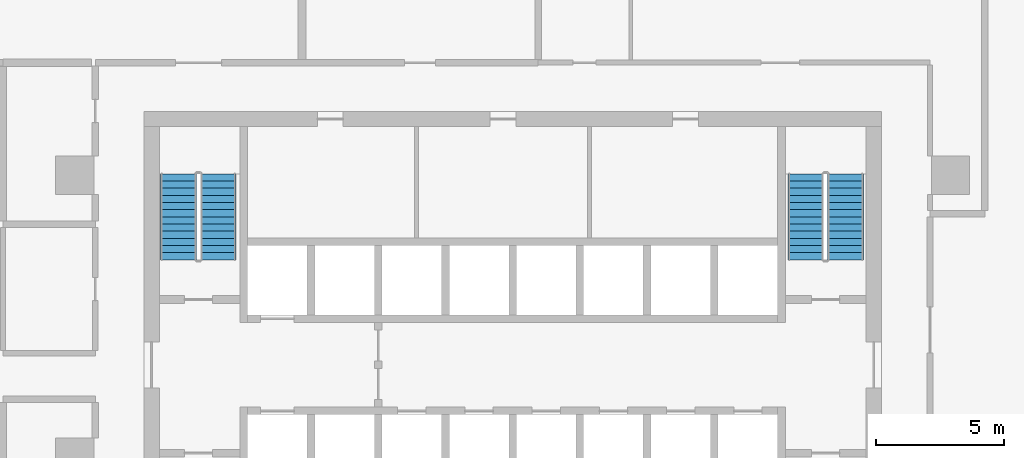
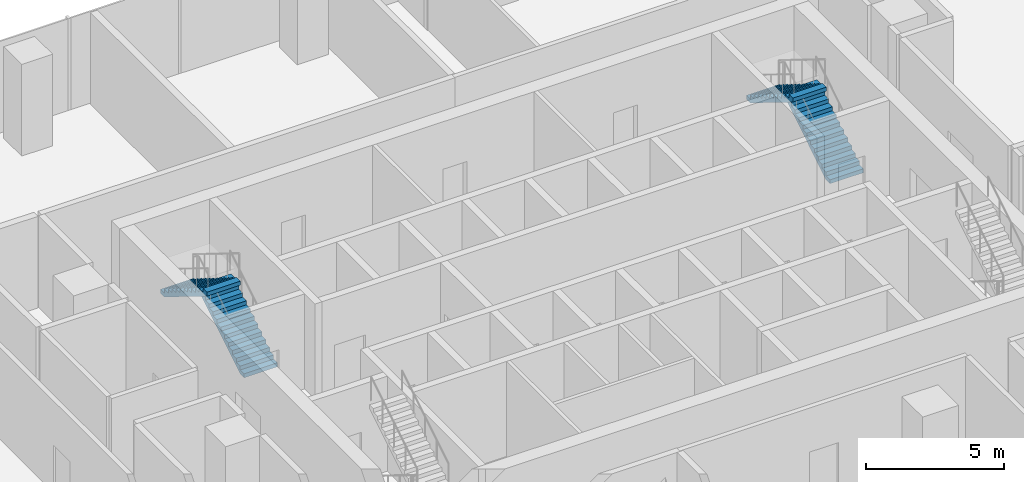
# One storey, part 11 of 15: 4 stair flights, 2 elements without a shape of their own.
"""IFC4 building model written with IfcOpenShell, lengths in metres."""

import ifcopenshell
import ifcopenshell.guid

model = None  # the IFC model being written
_history = None  # IfcOwnerHistory: only IFC2X3 demands one
_inside = {}  # id of a spatial element -> (the spatial element, [elements in it])
_under = {}  # id of a project, library or spatial element -> (it, [spatial elements below it])
_declared = {}  # id of a project -> (the project, [libraries it declares])
_typed = {}  # id of a type object -> (the type object, [elements of that type])
_made_of = {}  # id of a material, layer set ... -> (it, [elements and type objects made of it])


def new_model(schema):
    """Start an empty IFC model of exactly this schema.

    Asked for "IFC4X3", IfcOpenShell would pick the latest addendum, in which some entities
    have other attributes; the version numbers below select the first issue.
    IFC2X3 requires an IfcOwnerHistory on every rooted entity: one is made here for all.
    """
    global model, _history
    if schema == "IFC4X3":
        model = ifcopenshell.file(schema_version=(4, 3, 0, 0))
    else:
        model = ifcopenshell.file(schema=schema)
    _inside.clear()
    _under.clear()
    _declared.clear()
    _typed.clear()
    _made_of.clear()
    _history = None
    if model.schema == "IFC2X3":
        org = make("IfcOrganization", Name="unknown")
        user = make(
            "IfcPersonAndOrganization",
            ThePerson=make("IfcPerson", FamilyName="unknown"),
            TheOrganization=org,
        )
        app = make(
            "IfcApplication",
            ApplicationDeveloper=org,
            Version="unknown",
            ApplicationFullName="unknown",
            ApplicationIdentifier="unknown",
        )
        _history = make(
            "IfcOwnerHistory",
            OwningUser=user,
            OwningApplication=app,
            ChangeAction="ADDED",
            CreationDate=0,
        )
    return model


def make(cls, **values):
    """One entity of the class cls with the attributes given. An attribute that is None is left unset."""
    return model.create_entity(
        cls, **{name: value for name, value in values.items() if value is not None}
    )


def rooted(cls, **values):
    """An entity with a GlobalId (a new one), such as an element, a storey or a relation."""
    return make(cls, GlobalId=ifcopenshell.guid.new(), OwnerHistory=_history, **values)


def si_unit(unit_type, name, prefix=None):
    """IfcSIUnit, for example si_unit("LENGTHUNIT", "METRE", prefix="MILLI")."""
    return make("IfcSIUnit", UnitType=unit_type, Prefix=prefix, Name=name)


def assignment(units):
    """IfcUnitAssignment: the units of a project."""
    return None if units is None else make("IfcUnitAssignment", Units=units)


def point(xyz):
    """IfcCartesianPoint."""
    return None if xyz is None else make("IfcCartesianPoint", Coordinates=xyz)


def direction(xyz):
    """IfcDirection."""
    return None if xyz is None else make("IfcDirection", DirectionRatios=xyz)


def frame(location, z_axis=None, x_axis=None):
    """IfcAxis2Placement3D, a coordinate frame: its origin and axes. An axis left out is left unset."""
    return make(
        "IfcAxis2Placement3D",
        Location=point(location),
        Axis=direction(z_axis),
        RefDirection=direction(x_axis),
    )


def origin():
    """The frame at (0, 0, 0) with its axes left unset."""
    return frame((0.0, 0.0, 0.0))


def place(relative_to, where):
    """IfcLocalPlacement: puts the frame where relative to a parent placement (None: the world)."""
    return make(
        "IfcLocalPlacement", PlacementRelTo=relative_to, RelativePlacement=where
    )


def context(
    kind, dimensions, precision=None, world=None, true_north=None, identifier=None
):
    """IfcGeometricRepresentationContext, for example the 3D "Model" context."""
    return make(
        "IfcGeometricRepresentationContext",
        ContextIdentifier=identifier,
        ContextType=kind,
        CoordinateSpaceDimension=dimensions,
        Precision=precision,
        WorldCoordinateSystem=world,
        TrueNorth=true_north,
    )


def subcontext(parent, identifier, kind, view, scale=None):
    """IfcGeometricRepresentationSubContext, for example "Body" below "Model"."""
    return make(
        "IfcGeometricRepresentationSubContext",
        ContextIdentifier=identifier,
        ContextType=kind,
        ParentContext=parent,
        TargetScale=scale,
        TargetView=view,
    )


def project(units=None, contexts=None):
    """IfcProject with its units and contexts."""
    return rooted(
        "IfcProject",
        Name="project",
        RepresentationContexts=contexts,
        UnitsInContext=assignment(units),
    )


def spatial(cls, under=None, at=None, **own):
    """A site, building, storey or space (cls), placed at a placement, below another one or the project."""
    s = rooted(cls, ObjectPlacement=at, **own)
    if under is not None:
        _under.setdefault(under.id(), (under, []))[1].append(s)
    return s


def polyline(points):
    """IfcPolyline through the points."""
    return make("IfcPolyline", Points=[point(p) for p in points])


def outline(outer, holes=None, kind="AREA"):
    """IfcArbitraryClosedProfileDef: a profile drawn as a closed curve; with holes, ...WithVoids."""
    if holes is None:
        return make("IfcArbitraryClosedProfileDef", ProfileType=kind, OuterCurve=outer)
    return make(
        "IfcArbitraryProfileDefWithVoids",
        ProfileType=kind,
        OuterCurve=outer,
        InnerCurves=holes,
    )


def extrude(swept, where, along, depth):
    """IfcExtrudedAreaSolid: the profile swept, set in the frame where, extruded along a direction by depth."""
    return make(
        "IfcExtrudedAreaSolid",
        SweptArea=swept,
        Position=where,
        ExtrudedDirection=direction(along),
        Depth=depth,
    )


def shape(context_of_items, identifier, shape_type, items):
    """IfcShapeRepresentation: the items that make up one representation, for example the "Body"."""
    return make(
        "IfcShapeRepresentation",
        ContextOfItems=context_of_items,
        RepresentationIdentifier=identifier,
        RepresentationType=shape_type,
        Items=items,
    )


def material(Name=None, Category=None):
    """IfcMaterial."""
    return make("IfcMaterial", Name=Name, Category=Category)


def made_of(thing, what):
    """Note that an element or type object is made of a material, layer set ...; save() writes the relation."""
    if what is not None:
        _made_of.setdefault(what.id(), (what, []))[1].append(thing)
    return thing


def type_object(cls, material=None, **own):
    """A type object (cls), such as IfcWallType, which elements share."""
    return made_of(rooted(cls, **own), material)


def element(
    cls,
    number,
    at=None,
    inside=None,
    cuts=None,
    type_object=None,
    material=None,
    context=None,
    identifier="Body",
    shape_type=None,
    held_by="IfcProductDefinitionShape",
    body=None,
    shapes=None,
    **own,
):
    """One element of the class cls, such as IfcWall. Its Tag is "e" and its number.

    at: its placement. inside: the storey or other place that contains it. cuts: it is an
    opening in that element (IfcRelVoidsElement). A single representation is given by context,
    identifier, shape_type and body (its items); several are given by shapes. held_by: the class
    of the entity that holds the representations. save() writes the other relations.
    """
    e = rooted(cls, Tag="e%d" % number, ObjectPlacement=at, **own)
    if body is not None:
        shapes = [shape(context, identifier, shape_type, body)]
    if shapes is not None:
        e.Representation = make(held_by, Representations=shapes)
    if inside is not None:
        _inside.setdefault(inside.id(), (inside, []))[1].append(e)
    if cuts is not None:
        rooted(
            "IfcRelVoidsElement", RelatingBuildingElement=cuts, RelatedOpeningElement=e
        )
    if type_object is not None:
        _typed.setdefault(type_object.id(), (type_object, []))[1].append(e)
    return made_of(e, material)


def aggregate(whole, parts):
    """IfcRelAggregates: a whole, such as a stair, and the parts it consists of."""
    return rooted("IfcRelAggregates", RelatingObject=whole, RelatedObjects=parts)


def save(model, path):
    """Write the relations noted so far, then the file.

    IfcRelAggregates (storeys below a building ...), IfcRelContainedInSpatialStructure (elements
    in a storey), IfcRelDefinesByType, IfcRelAssociatesMaterial and IfcRelDeclares: one each for
    every whole, place, type object, material and project.
    """
    for whole, parts in _under.values():
        aggregate(whole, parts)
    for where, things in _inside.values():
        rooted(
            "IfcRelContainedInSpatialStructure",
            RelatedElements=things,
            RelatingStructure=where,
        )
    for kind, things in _typed.values():
        rooted("IfcRelDefinesByType", RelatedObjects=things, RelatingType=kind)
    for what, things in _made_of.values():
        rooted("IfcRelAssociatesMaterial", RelatedObjects=things, RelatingMaterial=what)
    for by, libraries in _declared.values():
        rooted("IfcRelDeclares", RelatingContext=by, RelatedDefinitions=libraries)
    model.write(path)


model = new_model("IFC4")

# Units and contexts
model_context = context("Model", 3, precision=1e-05, world=origin(), true_north=direction((0.0, 1.0)))
body_context = subcontext(model_context, "Body", "Model", "MODEL_VIEW")
ifc_project = project(units=[si_unit("LENGTHUNIT", "METRE"), si_unit("AREAUNIT", "SQUARE_METRE"), si_unit("VOLUMEUNIT", "CUBIC_METRE"), si_unit("PLANEANGLEUNIT", "RADIAN"), si_unit("MASSUNIT", "GRAM", prefix="KILO")], contexts=[model_context])

# Site, building, storey
site_placement = place(None, origin())
site = spatial("IfcSite", under=ifc_project, at=site_placement, CompositionType="ELEMENT")
building_placement = place(site_placement, origin())
building = spatial("IfcBuilding", under=site, at=building_placement, Name="Mopane Tessera Tower", CompositionType="ELEMENT")
storey_placement = place(building_placement, frame((0.0, 0.0, 103.60009765625)))
storey = spatial("IfcBuildingStorey", under=building, at=storey_placement, Name="L20", CompositionType="ELEMENT", Elevation=103.60009765625)

# Stair, stair flights
ifc_material_1 = material(Name="Concrete C50/60", Category="concrete")
stair_type = type_object("IfcStairType", Name="Escape stair 1400 mm, riser 173 mm", PredefinedType="HALF_TURN_STAIR", material=ifc_material_1)
stair_1_placement = place(storey_placement, origin())
stair_1 = element("IfcStair", 1, at=stair_1_placement, inside=storey, type_object=stair_type, Name="L20 Escape stair north-west", PredefinedType="HALF_TURN_STAIR")
ifc_material_2 = material(Name="Concrete C50/60", Category="concrete")
stair_flight_type = type_object("IfcStairFlightType", Name="Escape stair flight 1400 mm", PredefinedType="STRAIGHT", material=ifc_material_2)
stair_flight_1_placement = place(storey_placement, frame((-11.5, 7.699951171875, 0.0), z_axis=(0.0, 0.0, 1.0), x_axis=(0.0, 1.0, 0.0)))
stair_flight_1 = element("IfcStairFlight", 2, at=stair_flight_1_placement, type_object=stair_flight_type, Name="ST2 flight 1", NumberOfRisers=13, NumberOfTreads=12, PredefinedType="STRAIGHT", RiserHeight=0.173076923, TreadLength=0.28, context=body_context, shape_type="SweptSolid", body=[
    extrude(outline(polyline([(0.0, 0.0), (0.0, 0.173095703125), (0.280029296875, 0.173095703125), (0.280029296875, 0.34619140625), (0.56005859375, 0.34619140625), (0.56005859375, 0.519287109375), (0.840087890625, 0.519287109375), (0.840087890625, 0.6923828125), (1.1201171875, 0.6923828125), (1.1201171875, 0.865478515625), (1.39990234375, 0.865478515625), (1.39990234375, 1.03857421875), (1.679931640625, 1.03857421875), (1.679931640625, 1.21142578125), (1.9599609375, 1.21142578125), (1.9599609375, 1.384521484375), (2.239990234375, 1.384521484375), (2.239990234375, 1.5576171875), (2.52001953125, 1.5576171875), (2.52001953125, 1.730712890625), (2.800048828125, 1.730712890625), (2.800048828125, 1.90380859375), (3.080078125, 1.90380859375), (3.080078125, 2.076904296875), (3.360107421875, 2.076904296875), (3.360107421875, 2.25), (3.360107421875, 1.900634765625), (0.28515625, 0.0), (0.0, 0.0)])), frame((0.0, 0.699951171875, 0.0), z_axis=(0.0, -1.0, 0.0), x_axis=(1.0, 0.0, 0.0)), (0.0, 0.0, 1.0), 1.39990234375),
])
stair_flight_2_placement = place(storey_placement, frame((-13.050048828125, 11.06005859375, 2.25), z_axis=(0.0, 0.0, 1.0), x_axis=(0.0, -1.0, 0.0)))
stair_flight_2 = element("IfcStairFlight", 3, at=stair_flight_2_placement, type_object=stair_flight_type, Name="ST2 flight 2", NumberOfRisers=13, NumberOfTreads=12, PredefinedType="STRAIGHT", RiserHeight=0.173076923, TreadLength=0.28, context=body_context, shape_type="SweptSolid", body=[
    extrude(outline(polyline([(0.0, 0.0), (0.0, 0.173095703125), (0.280029296875, 0.173095703125), (0.280029296875, 0.34619140625), (0.56005859375, 0.34619140625), (0.56005859375, 0.519287109375), (0.840087890625, 0.519287109375), (0.840087890625, 0.6923828125), (1.1201171875, 0.6923828125), (1.1201171875, 0.865478515625), (1.39990234375, 0.865478515625), (1.39990234375, 1.03857421875), (1.679931640625, 1.03857421875), (1.679931640625, 1.21142578125), (1.9599609375, 1.21142578125), (1.9599609375, 1.384521484375), (2.239990234375, 1.384521484375), (2.239990234375, 1.5576171875), (2.52001953125, 1.5576171875), (2.52001953125, 1.730712890625), (2.800048828125, 1.730712890625), (2.800048828125, 1.90380859375), (3.080078125, 1.90380859375), (3.080078125, 2.076904296875), (3.360107421875, 2.076904296875), (3.360107421875, 2.25), (3.360107421875, 1.900634765625), (0.28515625, 0.0), (0.0, 0.0)])), frame((0.0, 0.699951171875, 0.0), z_axis=(0.0, -1.0, 0.0), x_axis=(1.0, 0.0, 0.0)), (0.0, 0.0, 1.0), 1.39990234375),
])
aggregate(stair_1, [stair_flight_1, stair_flight_2])

stair_2_placement = place(storey_placement, origin())
stair_2 = element("IfcStair", 4, at=stair_2_placement, inside=storey, type_object=stair_type, Name="L20 Escape stair north-east", PredefinedType="HALF_TURN_STAIR")
stair_flight_3_placement = place(storey_placement, frame((13.0, 7.699951171875, 0.0), z_axis=(0.0, 0.0, 1.0), x_axis=(0.0, 1.0, 0.0)))
stair_flight_3 = element("IfcStairFlight", 5, at=stair_flight_3_placement, type_object=stair_flight_type, Name="ST4 flight 1", NumberOfRisers=13, NumberOfTreads=12, PredefinedType="STRAIGHT", RiserHeight=0.173076923, TreadLength=0.28, context=body_context, shape_type="SweptSolid", body=[
    extrude(outline(polyline([(0.0, 0.0), (0.0, 0.173095703125), (0.280029296875, 0.173095703125), (0.280029296875, 0.34619140625), (0.56005859375, 0.34619140625), (0.56005859375, 0.519287109375), (0.840087890625, 0.519287109375), (0.840087890625, 0.6923828125), (1.1201171875, 0.6923828125), (1.1201171875, 0.865478515625), (1.39990234375, 0.865478515625), (1.39990234375, 1.03857421875), (1.679931640625, 1.03857421875), (1.679931640625, 1.21142578125), (1.9599609375, 1.21142578125), (1.9599609375, 1.384521484375), (2.239990234375, 1.384521484375), (2.239990234375, 1.5576171875), (2.52001953125, 1.5576171875), (2.52001953125, 1.730712890625), (2.800048828125, 1.730712890625), (2.800048828125, 1.90380859375), (3.080078125, 1.90380859375), (3.080078125, 2.076904296875), (3.360107421875, 2.076904296875), (3.360107421875, 2.25), (3.360107421875, 1.900634765625), (0.28515625, 0.0), (0.0, 0.0)])), frame((0.0, 0.699951171875, 0.0), z_axis=(0.0, -1.0, 0.0), x_axis=(1.0, 0.0, 0.0)), (0.0, 0.0, 1.0), 1.39990234375),
])
stair_flight_4_placement = place(storey_placement, frame((11.449951171875, 11.06005859375, 2.25), z_axis=(0.0, 0.0, 1.0), x_axis=(0.0, -1.0, 0.0)))
stair_flight_4 = element("IfcStairFlight", 6, at=stair_flight_4_placement, type_object=stair_flight_type, Name="ST4 flight 2", NumberOfRisers=13, NumberOfTreads=12, PredefinedType="STRAIGHT", RiserHeight=0.173076923, TreadLength=0.28, context=body_context, shape_type="SweptSolid", body=[
    extrude(outline(polyline([(0.0, 0.0), (0.0, 0.173095703125), (0.280029296875, 0.173095703125), (0.280029296875, 0.34619140625), (0.56005859375, 0.34619140625), (0.56005859375, 0.519287109375), (0.840087890625, 0.519287109375), (0.840087890625, 0.6923828125), (1.1201171875, 0.6923828125), (1.1201171875, 0.865478515625), (1.39990234375, 0.865478515625), (1.39990234375, 1.03857421875), (1.679931640625, 1.03857421875), (1.679931640625, 1.21142578125), (1.9599609375, 1.21142578125), (1.9599609375, 1.384521484375), (2.239990234375, 1.384521484375), (2.239990234375, 1.5576171875), (2.52001953125, 1.5576171875), (2.52001953125, 1.730712890625), (2.800048828125, 1.730712890625), (2.800048828125, 1.90380859375), (3.080078125, 1.90380859375), (3.080078125, 2.076904296875), (3.360107421875, 2.076904296875), (3.360107421875, 2.25), (3.360107421875, 1.900634765625), (0.28515625, 0.0), (0.0, 0.0)])), frame((0.0, 0.699951171875, 0.0), z_axis=(0.0, -1.0, 0.0), x_axis=(1.0, 0.0, 0.0)), (0.0, 0.0, 1.0), 1.39990234375),
])
aggregate(stair_2, [stair_flight_3, stair_flight_4])

save(model, "model.ifc")
